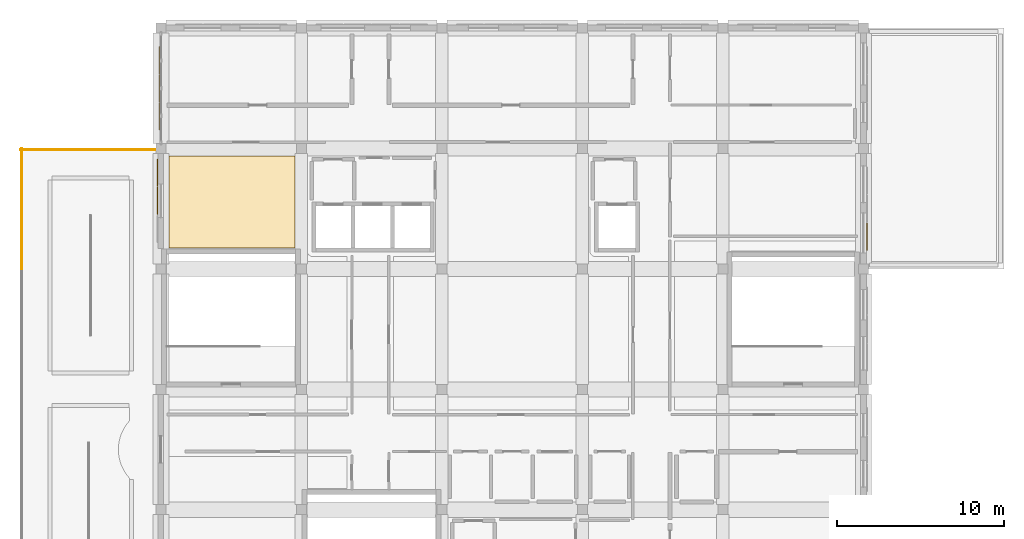
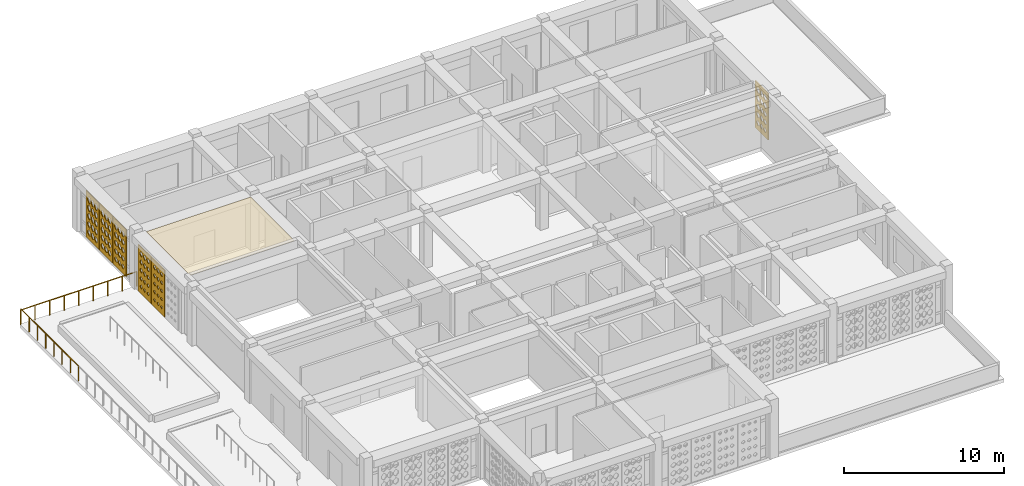
# One storey, part 24 of 28: 7 coverings, 2 railings.
"""IFC4 building model written with IfcOpenShell, lengths in metres."""

from ifc_helpers import new_model, si_unit, derived_unit, direction, frame, origin, origin_2d, place, context, subcontext, project, spatial, polyline, circle, outline, extrude, material, layer, layer_set, type_object, element, save


model = new_model("IFC4")

# Units and contexts
model_context = context("Model", 3, precision=1e-05, world=origin(), true_north=direction((0.0, 1.0)))
body_context = subcontext(model_context, "Body", "Model", "MODEL_VIEW")
ifc_project = project(units=[si_unit("LENGTHUNIT", "METRE"), si_unit("AREAUNIT", "SQUARE_METRE"), si_unit("VOLUMEUNIT", "CUBIC_METRE"), si_unit("PLANEANGLEUNIT", "RADIAN"), si_unit("MASSUNIT", "GRAM", prefix="KILO"), derived_unit("THERMALTRANSMITTANCEUNIT", [(si_unit("POWERUNIT", "WATT"), 1), (si_unit("LENGTHUNIT", "METRE"), -2), (si_unit("THERMODYNAMICTEMPERATUREUNIT", "KELVIN"), -1)])], contexts=[model_context])

# Site, building, storey
site_placement = place(None, origin())
site = spatial("IfcSite", under=ifc_project, at=site_placement, CompositionType="ELEMENT")
building_placement = place(site_placement, origin())
building = spatial("IfcBuilding", under=site, at=building_placement, Name="Veybourne Emporium", CompositionType="ELEMENT")
storey_placement = place(building_placement, frame((0.0, 0.0, 32.10009765625)))
storey = spatial("IfcBuildingStorey", under=building, at=storey_placement, Name="L07", CompositionType="ELEMENT", Elevation=32.10009765625)

# Covering
ifc_material_1 = material(Name="Mineral Acoustic Ceiling", Category="gypsum")
ifc_layer_1 = layer(ifc_material_1, 0.02490234375)
ifc_layer_set_1 = layer_set([ifc_layer_1], Name="Mineral Acoustic Ceiling")
covering_type_1 = type_object("IfcCoveringType", Name="Ceiling_CLG-01", PredefinedType="CEILING", material=ifc_layer_set_1)
covering_1_placement = place(storey_placement, frame((0.0, 0.0, 4.21484375)))
element("IfcCovering", 1, at=covering_1_placement, inside=storey, type_object=covering_type_1, Name="L07 coffered acoustic ceiling 04", PredefinedType="CEILING", context=body_context, shape_type="SweptSolid", body=[
    extrude(outline(polyline([(8.873046875, 37.260009765625), (8.873046875, 42.751953125), (16.427001953125, 42.751953125), (16.427001953125, 37.260009765625), (8.873046875, 37.260009765625)])), origin(), (0.0, 0.0, 1.0), 0.025146484375),
])

# Railings
ifc_material_2 = material(Name="Patinated Architectural Bronze", Category="bronze")
railing_type = type_object("IfcRailingType", Name="Guard_GR-02", PredefinedType="GUARDRAIL", material=ifc_material_2)
railing_1_placement = place(storey_placement, frame((0.0, 43.1201171875, 0.0)))
element("IfcRailing", 2, at=railing_1_placement, inside=storey, type_object=railing_type, Name="L07 terrace perimeter guardrail 005", PredefinedType="GUARDRAIL", context=body_context, shape_type="SweptSolid", body=[
    extrude(circle(Radius=0.02392578125, at=origin_2d()), frame((0.0, 0.0, 1.1259765625), z_axis=(1.0, 0.0, 0.0), x_axis=(0.0, 1.0, 0.0)), (0.0, 0.0, 1.0), 8.39990234375),
    extrude(circle(Radius=0.02099609375, at=origin_2d()), origin(), (0.0, 0.0, 1.0), 1.101806640625),
    extrude(circle(Radius=0.02099609375, at=origin_2d()), frame((1.050048828125, 0.0, 0.0)), (0.0, 0.0, 1.0), 1.101806640625),
    extrude(circle(Radius=0.02099609375, at=origin_2d()), frame((2.10009765625, 0.0, 0.0)), (0.0, 0.0, 1.0), 1.101806640625),
    extrude(circle(Radius=0.02099609375, at=origin_2d()), frame((3.14990234375, 0.0, 0.0)), (0.0, 0.0, 1.0), 1.101806640625),
    extrude(circle(Radius=0.02099609375, at=origin_2d()), frame((4.199951171875, 0.0, 0.0)), (0.0, 0.0, 1.0), 1.101806640625),
    extrude(circle(Radius=0.02099609375, at=origin_2d()), frame((5.25, 0.0, 0.0)), (0.0, 0.0, 1.0), 1.101806640625),
    extrude(circle(Radius=0.02099609375, at=origin_2d()), frame((6.2998046875, 0.0, 0.0)), (0.0, 0.0, 1.0), 1.101806640625),
    extrude(circle(Radius=0.02099609375, at=origin_2d()), frame((7.349853515625, 0.0, 0.0)), (0.0, 0.0, 1.0), 1.101806640625),
    extrude(circle(Radius=0.02099609375, at=origin_2d()), frame((8.39990234375, 0.0, 0.0)), (0.0, 0.0, 1.0), 1.101806640625),
])
railing_2_placement = place(storey_placement, frame((0.080078125, 36.0, 0.0)))
element("IfcRailing", 3, at=railing_2_placement, inside=storey, type_object=railing_type, Name="L07 terrace perimeter guardrail 006", PredefinedType="GUARDRAIL", context=body_context, shape_type="SweptSolid", body=[
    extrude(circle(Radius=0.02392578125, at=origin_2d()), frame((0.0, 0.0, 1.1259765625), z_axis=(0.0, 1.0, 0.0), x_axis=(-1.0, 0.0, 0.0)), (0.0, 0.0, 1.0), 7.199951171875),
    extrude(circle(Radius=0.02099609375, at=origin_2d()), origin(), (0.0, 0.0, 1.0), 1.101806640625),
    extrude(circle(Radius=0.02099609375, at=origin_2d()), frame((0.0, 1.028564453125, 0.0)), (0.0, 0.0, 1.0), 1.101806640625),
    extrude(circle(Radius=0.02099609375, at=origin_2d()), frame((0.0, 2.05712890625, 0.0)), (0.0, 0.0, 1.0), 1.101806640625),
    extrude(circle(Radius=0.02099609375, at=origin_2d()), frame((0.0, 3.085693359375, 0.0)), (0.0, 0.0, 1.0), 1.101806640625),
    extrude(circle(Radius=0.02099609375, at=origin_2d()), frame((0.0, 4.1142578125, 0.0)), (0.0, 0.0, 1.0), 1.101806640625),
    extrude(circle(Radius=0.02099609375, at=origin_2d()), frame((0.0, 5.142822265625, 0.0)), (0.0, 0.0, 1.0), 1.101806640625),
    extrude(circle(Radius=0.02099609375, at=origin_2d()), frame((0.0, 6.17138671875, 0.0)), (0.0, 0.0, 1.0), 1.101806640625),
    extrude(circle(Radius=0.02099609375, at=origin_2d()), frame((0.0, 7.199951171875, 0.0)), (0.0, 0.0, 1.0), 1.101806640625),
])

# Coverings
ifc_material_3 = material(Name="Warm-White Perforated Aluminium Screen Alloy", Category="aluminium")
ifc_layer_2 = layer(ifc_material_3, 0.06005859375)
ifc_layer_set_2 = layer_set([ifc_layer_2], Name="Warm-White Perforated Aluminium Screen Alloy")
covering_type_2 = type_object("IfcCoveringType", Name="WaveScreen_SCR-01", PredefinedType="CLADDING", material=ifc_layer_set_2)
covering_2_placement = place(storey_placement, frame((8.302978515625, 46.800048828125, 1.844970703125), z_axis=(1.0, 0.0, 0.0), x_axis=(0.0, 1.0, 0.0)))
element("IfcCovering", 4, at=covering_2_placement, inside=storey, type_object=covering_type_2, Name="L07 wave-perforated aluminium screen SCR-01 (7C.2)", PredefinedType="CLADDING", context=body_context, shape_type="SweptSolid", body=[
    extrude(outline(polyline([(-0.81982421875, -1.78515625), (0.81982421875, -1.78515625), (0.81982421875, 1.78515625), (-0.81982421875, 1.78515625), (-0.81982421875, -1.78515625)]), holes=[polyline([(-0.433349609375, -1.047119140625), (-0.255615234375, -1.17822265625), (-0.255615234375, -1.32568359375), (-0.433349609375, -1.456787109375), (-0.61083984375, -1.32568359375), (-0.61083984375, -1.17822265625), (-0.433349609375, -1.047119140625)]), polyline([(-0.433349609375, -0.406982421875), (-0.2470703125, -0.547119140625), (-0.2470703125, -0.704833984375), (-0.433349609375, -0.844970703125), (-0.61962890625, -0.704833984375), (-0.61962890625, -0.547119140625), (-0.433349609375, -0.406982421875)]), polyline([(-0.433349609375, 0.232177734375), (-0.2470703125, 0.08349609375), (-0.2470703125, -0.08349609375), (-0.433349609375, -0.232177734375), (-0.61962890625, -0.08349609375), (-0.61962890625, 0.08349609375), (-0.433349609375, 0.232177734375)]), polyline([(-0.433349609375, 0.8701171875), (-0.2470703125, 0.7138671875), (-0.2470703125, 0.5380859375), (-0.433349609375, 0.3818359375), (-0.61962890625, 0.5380859375), (-0.61962890625, 0.7138671875), (-0.433349609375, 0.8701171875)]), polyline([(-0.433349609375, 1.506591796875), (-0.2470703125, 1.343505859375), (-0.2470703125, 1.160400390625), (-0.433349609375, 0.997314453125), (-0.61962890625, 1.160400390625), (-0.61962890625, 1.343505859375), (-0.433349609375, 1.506591796875)]), polyline([(0.0, -1.040771484375), (0.182861328125, -1.176025390625), (0.182861328125, -1.327880859375), (0.0, -1.463134765625), (-0.182861328125, -1.327880859375), (-0.182861328125, -1.176025390625), (0.0, -1.040771484375)]), polyline([(0.0, -0.401123046875), (0.186279296875, -0.544921875), (0.186279296875, -0.70703125), (0.0, -0.850830078125), (-0.186279296875, -0.70703125), (-0.186279296875, -0.544921875), (0.0, -0.401123046875)]), polyline([(0.0, 0.237548828125), (0.186279296875, 0.085693359375), (0.186279296875, -0.085693359375), (0.0, -0.237548828125), (-0.186279296875, -0.085693359375), (-0.186279296875, 0.085693359375), (0.0, 0.237548828125)]), polyline([(0.0, 0.875), (0.186279296875, 0.715576171875), (0.186279296875, 0.536376953125), (0.0, 0.376953125), (-0.186279296875, 0.536376953125), (-0.186279296875, 0.715576171875), (0.0, 0.875)]), polyline([(0.0, 1.510498046875), (0.186279296875, 1.34521484375), (0.186279296875, 1.158935546875), (0.0, 0.993408203125), (-0.186279296875, 1.158935546875), (-0.186279296875, 1.34521484375), (0.0, 1.510498046875)]), polyline([(0.433349609375, -1.03466796875), (0.61962890625, -1.173583984375), (0.61962890625, -1.330322265625), (0.433349609375, -1.469482421875), (0.2470703125, -1.330322265625), (0.2470703125, -1.173583984375), (0.433349609375, -1.03466796875)]), polyline([(0.433349609375, -0.395263671875), (0.61962890625, -0.54296875), (0.61962890625, -0.708984375), (0.433349609375, -0.856689453125), (0.2470703125, -0.708984375), (0.2470703125, -0.54296875), (0.433349609375, -0.395263671875)]), polyline([(0.433349609375, 0.242919921875), (0.61962890625, 0.08740234375), (0.61962890625, -0.08740234375), (0.433349609375, -0.242919921875), (0.2470703125, -0.08740234375), (0.2470703125, 0.08740234375), (0.433349609375, 0.242919921875)]), polyline([(0.433349609375, 0.87939453125), (0.61962890625, 0.71728515625), (0.61962890625, 0.53466796875), (0.433349609375, 0.37255859375), (0.2470703125, 0.53466796875), (0.2470703125, 0.71728515625), (0.433349609375, 0.87939453125)]), polyline([(0.433349609375, 1.514404296875), (0.61962890625, 1.346435546875), (0.61962890625, 1.15771484375), (0.433349609375, 0.98974609375), (0.2470703125, 1.15771484375), (0.2470703125, 1.346435546875), (0.433349609375, 1.514404296875)])]), origin(), (0.0, 0.0, 1.0), 0.06005859375),
])
ifc_layer_3 = layer(ifc_material_3, 0.06005859375)
ifc_layer_set_3 = layer_set([ifc_layer_3], Name="Warm-White Perforated Aluminium Screen Alloy")
covering_type_3 = type_object("IfcCoveringType", Name="WaveScreen_SCR-02", PredefinedType="CLADDING", material=ifc_layer_set_3)
covering_3_placement = place(storey_placement, frame((8.302978515625, 48.47998046875, 1.844970703125), z_axis=(1.0, 0.0, 0.0), x_axis=(0.0, 1.0, 0.0)))
element("IfcCovering", 5, at=covering_3_placement, inside=storey, type_object=covering_type_3, Name="L07 wave-perforated aluminium screen SCR-02 (7C.3)", PredefinedType="CLADDING", context=body_context, shape_type="SweptSolid", body=[
    extrude(outline(polyline([(-0.81982421875, -1.78515625), (0.81982421875, -1.78515625), (0.81982421875, 1.78515625), (-0.81982421875, 1.78515625), (-0.81982421875, -1.78515625)]), holes=[polyline([(-0.433349609375, -1.0234375), (-0.2470703125, -1.169677734375), (-0.2470703125, -1.334228515625), (-0.433349609375, -1.480712890625), (-0.61962890625, -1.334228515625), (-0.61962890625, -1.169677734375), (-0.433349609375, -1.0234375)]), polyline([(-0.433349609375, -0.385009765625), (-0.2470703125, -0.539306640625), (-0.2470703125, -0.712890625), (-0.433349609375, -0.866943359375), (-0.61962890625, -0.712890625), (-0.61962890625, -0.539306640625), (-0.433349609375, -0.385009765625)]), polyline([(-0.433349609375, 0.251953125), (-0.2470703125, 0.0908203125), (-0.2470703125, -0.0908203125), (-0.433349609375, -0.251953125), (-0.61962890625, -0.0908203125), (-0.61962890625, 0.0908203125), (-0.433349609375, 0.251953125)]), polyline([(-0.433349609375, 0.886962890625), (-0.2470703125, 0.719970703125), (-0.2470703125, 0.531982421875), (-0.433349609375, 0.364990234375), (-0.61962890625, 0.531982421875), (-0.61962890625, 0.719970703125), (-0.433349609375, 0.886962890625)]), polyline([(-0.433349609375, 1.52001953125), (-0.2470703125, 1.348388671875), (-0.2470703125, 1.155517578125), (-0.433349609375, 0.984130859375), (-0.61962890625, 1.155517578125), (-0.61962890625, 1.348388671875), (-0.433349609375, 1.52001953125)]), polyline([(0.0, -1.017578125), (0.186279296875, -1.167724609375), (0.186279296875, -1.336181640625), (0.0, -1.486328125), (-0.186279296875, -1.336181640625), (-0.186279296875, -1.167724609375), (0.0, -1.017578125)]), polyline([(0.0, -0.3798828125), (0.186279296875, -0.537353515625), (0.186279296875, -0.714599609375), (0.0, -0.8720703125), (-0.186279296875, -0.714599609375), (-0.186279296875, -0.537353515625), (0.0, -0.3798828125)]), polyline([(0.0, 0.256103515625), (0.186279296875, 0.09228515625), (0.186279296875, -0.09228515625), (0.0, -0.256103515625), (-0.186279296875, -0.09228515625), (-0.186279296875, 0.09228515625), (0.0, 0.256103515625)]), polyline([(0.0, 0.890380859375), (0.186279296875, 0.72119140625), (0.186279296875, 0.53076171875), (0.0, 0.36181640625), (-0.186279296875, 0.53076171875), (-0.186279296875, 0.72119140625), (0.0, 0.890380859375)]), polyline([(0.0, 1.521240234375), (0.186279296875, 1.348876953125), (0.186279296875, 1.155029296875), (0.0, 0.98291015625), (-0.186279296875, 1.155029296875), (-0.186279296875, 1.348876953125), (0.0, 1.521240234375)]), polyline([(0.433349609375, -1.01220703125), (0.61962890625, -1.165771484375), (0.61962890625, -1.33837890625), (0.433349609375, -1.49169921875), (0.2470703125, -1.33837890625), (0.2470703125, -1.165771484375), (0.433349609375, -1.01220703125)]), polyline([(0.433349609375, -0.375244140625), (0.61962890625, -0.53564453125), (0.61962890625, -0.71630859375), (0.433349609375, -0.876708984375), (0.2470703125, -0.71630859375), (0.2470703125, -0.53564453125), (0.433349609375, -0.375244140625)]), polyline([(0.433349609375, 0.260009765625), (0.61962890625, 0.093505859375), (0.61962890625, -0.093505859375), (0.433349609375, -0.260009765625), (0.2470703125, -0.093505859375), (0.2470703125, 0.093505859375), (0.433349609375, 0.260009765625)]), polyline([(0.433349609375, 0.893310546875), (0.61962890625, 0.72216796875), (0.61962890625, 0.52978515625), (0.433349609375, 0.358642578125), (0.2470703125, 0.52978515625), (0.2470703125, 0.72216796875), (0.433349609375, 0.893310546875)]), polyline([(0.433349609375, 1.521240234375), (0.61962890625, 1.348876953125), (0.61962890625, 1.155029296875), (0.433349609375, 0.98291015625), (0.2470703125, 1.155029296875), (0.2470703125, 1.348876953125), (0.433349609375, 1.521240234375)])]), origin(), (0.0, 0.0, 1.0), 0.06005859375),
])
ifc_layer_4 = layer(ifc_material_3, 0.06005859375)
ifc_layer_set_4 = layer_set([ifc_layer_4], Name="Warm-White Perforated Aluminium Screen Alloy")
covering_type_4 = type_object("IfcCoveringType", Name="WaveScreen_SCR-03", PredefinedType="CLADDING", material=ifc_layer_set_4)
covering_4_placement = place(storey_placement, frame((8.177001953125, 40.06005859375, 1.844970703125), z_axis=(1.0, 0.0, 0.0), x_axis=(0.0, 1.0, 0.0)))
element("IfcCovering", 6, at=covering_4_placement, inside=storey, type_object=covering_type_4, Name="L07 wave-perforated aluminium screen SCR-03 (5T.2)", PredefinedType="CLADDING", context=body_context, shape_type="SweptSolid", body=[
    extrude(outline(polyline([(-0.81982421875, -1.78515625), (0.81982421875, -1.78515625), (0.81982421875, 1.78515625), (-0.81982421875, 1.78515625), (-0.81982421875, -1.78515625)]), holes=[polyline([(-0.433349609375, -1.132568359375), (-0.325439453125, -1.208984375), (-0.325439453125, -1.294921875), (-0.433349609375, -1.37158203125), (-0.541015625, -1.294921875), (-0.541015625, -1.208984375), (-0.433349609375, -1.132568359375)]), polyline([(-0.433349609375, -0.49853515625), (-0.319091796875, -0.580078125), (-0.319091796875, -0.671875), (-0.433349609375, -0.75341796875), (-0.547607421875, -0.671875), (-0.547607421875, -0.580078125), (-0.433349609375, -0.49853515625)]), polyline([(-0.433349609375, 0.13720703125), (-0.31103515625, 0.04931640625), (-0.31103515625, -0.04931640625), (-0.433349609375, -0.13720703125), (-0.5556640625, -0.04931640625), (-0.5556640625, 0.04931640625), (-0.433349609375, 0.13720703125)]), polyline([(-0.433349609375, 0.774658203125), (-0.3017578125, 0.679443359375), (-0.3017578125, 0.572509765625), (-0.433349609375, 0.477294921875), (-0.56494140625, 0.572509765625), (-0.56494140625, 0.679443359375), (-0.433349609375, 0.774658203125)]), polyline([(-0.433349609375, 1.41357421875), (-0.291015625, 1.310302734375), (-0.291015625, 1.19384765625), (-0.433349609375, 1.09033203125), (-0.575439453125, 1.19384765625), (-0.575439453125, 1.310302734375), (-0.433349609375, 1.41357421875)]), polyline([(0.0, -1.12939453125), (0.1103515625, -1.207763671875), (0.1103515625, -1.296142578125), (0.0, -1.374755859375), (-0.1103515625, -1.296142578125), (-0.1103515625, -1.207763671875), (0.0, -1.12939453125)]), polyline([(0.0, -0.494384765625), (0.11767578125, -0.57861328125), (0.11767578125, -0.67333984375), (0.0, -0.757568359375), (-0.11767578125, -0.67333984375), (-0.11767578125, -0.57861328125), (0.0, -0.494384765625)]), polyline([(0.0, 0.14208984375), (0.126220703125, 0.05126953125), (0.126220703125, -0.05126953125), (0.0, -0.14208984375), (-0.126220703125, -0.05126953125), (-0.126220703125, 0.05126953125), (0.0, 0.14208984375)]), polyline([(0.0, 0.7802734375), (0.13623046875, 0.681396484375), (0.13623046875, 0.570556640625), (0.0, 0.4716796875), (-0.13623046875, 0.570556640625), (-0.13623046875, 0.681396484375), (0.0, 0.7802734375)]), polyline([(0.0, 1.419677734375), (0.147216796875, 1.312255859375), (0.147216796875, 1.191650390625), (0.0, 1.08447265625), (-0.147216796875, 1.191650390625), (-0.147216796875, 1.312255859375), (0.0, 1.419677734375)]), polyline([(0.433349609375, -1.12548828125), (0.546630859375, -1.20654296875), (0.546630859375, -1.297607421875), (0.433349609375, -1.37841796875), (0.31982421875, -1.297607421875), (0.31982421875, -1.20654296875), (0.433349609375, -1.12548828125)]), polyline([(0.433349609375, -0.489990234375), (0.5546875, -0.576904296875), (0.5546875, -0.675048828125), (0.433349609375, -0.761962890625), (0.31201171875, -0.675048828125), (0.31201171875, -0.576904296875), (0.433349609375, -0.489990234375)]), polyline([(0.433349609375, 0.1474609375), (0.56396484375, 0.052978515625), (0.56396484375, -0.052978515625), (0.433349609375, -0.1474609375), (0.302734375, -0.052978515625), (0.302734375, 0.052978515625), (0.433349609375, 0.1474609375)]), polyline([(0.433349609375, 0.7861328125), (0.57421875, 0.68359375), (0.57421875, 0.568359375), (0.433349609375, 0.4658203125), (0.292236328125, 0.568359375), (0.292236328125, 0.68359375), (0.433349609375, 0.7861328125)]), polyline([(0.433349609375, 1.42578125), (0.585693359375, 1.314697265625), (0.585693359375, 1.189453125), (0.433349609375, 1.078125), (0.281005859375, 1.189453125), (0.281005859375, 1.314697265625), (0.433349609375, 1.42578125)])]), origin(), (0.0, 0.0, 1.0), 0.06005859375),
])
covering_5_placement = place(storey_placement, frame((50.64794921875, 37.919921875, 1.844970703125), z_axis=(-1.0, 0.0, 0.0), x_axis=(0.0, -1.0, 0.0)))
element("IfcCovering", 7, at=covering_5_placement, inside=storey, type_object=covering_type_4, Name="L07 wave-perforated aluminium screen SCR-03 (20.3)", PredefinedType="CLADDING", context=body_context, shape_type="SweptSolid", body=[
    extrude(outline(polyline([(-0.81982421875, -1.78515625), (0.81982421875, -1.78515625), (0.81982421875, 1.78515625), (-0.81982421875, 1.78515625), (-0.81982421875, -1.78515625)]), holes=[polyline([(-0.433349609375, -1.056396484375), (-0.263427734375, -1.181640625), (-0.263427734375, -1.322509765625), (-0.433349609375, -1.447509765625), (-0.603271484375, -1.322509765625), (-0.603271484375, -1.181640625), (-0.433349609375, -1.056396484375)]), polyline([(-0.433349609375, -0.416259765625), (-0.251708984375, -0.550537109375), (-0.251708984375, -0.701416015625), (-0.433349609375, -0.835693359375), (-0.614990234375, -0.701416015625), (-0.614990234375, -0.550537109375), (-0.433349609375, -0.416259765625)]), polyline([(-0.433349609375, 0.2236328125), (-0.2470703125, 0.08056640625), (-0.2470703125, -0.08056640625), (-0.433349609375, -0.2236328125), (-0.61962890625, -0.08056640625), (-0.61962890625, 0.08056640625), (-0.433349609375, 0.2236328125)]), polyline([(-0.433349609375, 0.862548828125), (-0.2470703125, 0.711181640625), (-0.2470703125, 0.541015625), (-0.433349609375, 0.389404296875), (-0.61962890625, 0.541015625), (-0.61962890625, 0.711181640625), (-0.433349609375, 0.862548828125)]), polyline([(-0.433349609375, 1.5), (-0.2470703125, 1.34130859375), (-0.2470703125, 1.16259765625), (-0.433349609375, 1.00390625), (-0.61962890625, 1.16259765625), (-0.61962890625, 1.34130859375), (-0.433349609375, 1.5)]), polyline([(0.0, -1.06298828125), (0.164794921875, -1.183837890625), (0.164794921875, -1.320068359375), (0.0, -1.44091796875), (-0.164794921875, -1.320068359375), (-0.164794921875, -1.183837890625), (0.0, -1.06298828125)]), polyline([(0.0, -0.422607421875), (0.176513671875, -0.552734375), (0.176513671875, -0.69921875), (0.0, -0.82958984375), (-0.176513671875, -0.69921875), (-0.176513671875, -0.552734375), (0.0, -0.422607421875)]), polyline([(0.0, 0.217529296875), (0.186279296875, 0.078369140625), (0.186279296875, -0.078369140625), (0.0, -0.217529296875), (-0.186279296875, -0.078369140625), (-0.186279296875, 0.078369140625), (0.0, 0.217529296875)]), polyline([(0.0, 0.85693359375), (0.186279296875, 0.708984375), (0.186279296875, 0.54296875), (0.0, 0.39501953125), (-0.186279296875, 0.54296875), (-0.186279296875, 0.708984375), (0.0, 0.85693359375)]), polyline([(0.0, 1.4951171875), (0.186279296875, 1.339599609375), (0.186279296875, 1.16455078125), (0.0, 1.009033203125), (-0.186279296875, 1.16455078125), (-0.186279296875, 1.339599609375), (0.0, 1.4951171875)]), polyline([(0.433349609375, -1.0693359375), (0.5927734375, -1.186279296875), (0.5927734375, -1.317626953125), (0.433349609375, -1.4345703125), (0.27392578125, -1.317626953125), (0.27392578125, -1.186279296875), (0.433349609375, -1.0693359375)]), polyline([(0.433349609375, -0.428955078125), (0.6044921875, -0.55517578125), (0.6044921875, -0.697021484375), (0.433349609375, -0.822998046875), (0.26220703125, -0.697021484375), (0.26220703125, -0.55517578125), (0.433349609375, -0.428955078125)]), polyline([(0.433349609375, 0.21142578125), (0.6162109375, 0.076171875), (0.6162109375, -0.076171875), (0.433349609375, -0.21142578125), (0.25048828125, -0.076171875), (0.25048828125, 0.076171875), (0.433349609375, 0.21142578125)]), polyline([(0.433349609375, 0.85107421875), (0.61962890625, 0.70703125), (0.61962890625, 0.544921875), (0.433349609375, 0.40087890625), (0.2470703125, 0.544921875), (0.2470703125, 0.70703125), (0.433349609375, 0.85107421875)]), polyline([(0.433349609375, 1.48974609375), (0.61962890625, 1.337646484375), (0.61962890625, 1.16650390625), (0.433349609375, 1.01416015625), (0.2470703125, 1.16650390625), (0.2470703125, 1.337646484375), (0.433349609375, 1.48974609375)])]), origin(), (0.0, 0.0, 1.0), 0.06005859375),
])
ifc_layer_5 = layer(ifc_material_3, 0.06005859375)
ifc_layer_set_5 = layer_set([ifc_layer_5], Name="Warm-White Perforated Aluminium Screen Alloy")
covering_type_5 = type_object("IfcCoveringType", Name="WaveScreen_SCR-04", PredefinedType="CLADDING", material=ifc_layer_set_5)
covering_6_placement = place(storey_placement, frame((8.177001953125, 41.739990234375, 1.844970703125), z_axis=(1.0, 0.0, 0.0), x_axis=(0.0, 1.0, 0.0)))
element("IfcCovering", 8, at=covering_6_placement, inside=storey, type_object=covering_type_5, Name="L07 wave-perforated aluminium screen SCR-04 (5T.3)", PredefinedType="CLADDING", context=body_context, shape_type="SweptSolid", body=[
    extrude(outline(polyline([(-0.81982421875, -1.78515625), (0.81982421875, -1.78515625), (0.81982421875, 1.78515625), (-0.81982421875, 1.78515625), (-0.81982421875, -1.78515625)]), holes=[polyline([(-0.433349609375, -1.11767578125), (-0.3134765625, -1.20361328125), (-0.3134765625, -1.30029296875), (-0.433349609375, -1.38623046875), (-0.55322265625, -1.30029296875), (-0.55322265625, -1.20361328125), (-0.433349609375, -1.11767578125)]), polyline([(-0.433349609375, -0.480712890625), (-0.304443359375, -0.57373046875), (-0.304443359375, -0.67822265625), (-0.433349609375, -0.771484375), (-0.562255859375, -0.67822265625), (-0.562255859375, -0.57373046875), (-0.433349609375, -0.480712890625)]), polyline([(-0.433349609375, 0.157958984375), (-0.294189453125, 0.056884765625), (-0.294189453125, -0.056884765625), (-0.433349609375, -0.157958984375), (-0.572509765625, -0.056884765625), (-0.572509765625, 0.056884765625), (-0.433349609375, 0.157958984375)]), polyline([(-0.433349609375, 0.797607421875), (-0.282958984375, 0.687744140625), (-0.282958984375, 0.564208984375), (-0.433349609375, 0.45458984375), (-0.583740234375, 0.564208984375), (-0.583740234375, 0.687744140625), (-0.433349609375, 0.797607421875)]), polyline([(-0.433349609375, 1.437744140625), (-0.271484375, 1.31884765625), (-0.271484375, 1.18505859375), (-0.433349609375, 1.06640625), (-0.59521484375, 1.18505859375), (-0.59521484375, 1.31884765625), (-0.433349609375, 1.437744140625)]), polyline([(0.0, -1.113037109375), (0.123779296875, -1.201904296875), (0.123779296875, -1.302001953125), (0.0, -1.39111328125), (-0.123779296875, -1.302001953125), (-0.123779296875, -1.201904296875), (0.0, -1.113037109375)]), polyline([(0.0, -0.47509765625), (0.13330078125, -0.57177734375), (0.13330078125, -0.680419921875), (0.0, -0.77685546875), (-0.13330078125, -0.680419921875), (-0.13330078125, -0.57177734375), (0.0, -0.47509765625)]), polyline([(0.0, 0.163818359375), (0.14404296875, 0.05908203125), (0.14404296875, -0.05908203125), (0.0, -0.163818359375), (-0.14404296875, -0.05908203125), (-0.14404296875, 0.05908203125), (0.0, 0.163818359375)]), polyline([(0.0, 0.8037109375), (0.155517578125, 0.68994140625), (0.155517578125, 0.56201171875), (0.0, 0.4482421875), (-0.155517578125, 0.56201171875), (-0.155517578125, 0.68994140625), (0.0, 0.8037109375)]), polyline([(0.0, 1.444091796875), (0.167236328125, 1.3212890625), (0.167236328125, 1.182861328125), (0.0, 1.059814453125), (-0.167236328125, 1.182861328125), (-0.167236328125, 1.3212890625), (0.0, 1.444091796875)]), polyline([(0.433349609375, -1.10791015625), (0.561279296875, -1.2001953125), (0.561279296875, -1.303955078125), (0.433349609375, -1.39599609375), (0.305419921875, -1.303955078125), (0.305419921875, -1.2001953125), (0.433349609375, -1.10791015625)]), polyline([(0.433349609375, -0.469482421875), (0.5712890625, -0.569580078125), (0.5712890625, -0.682373046875), (0.433349609375, -0.782470703125), (0.29541015625, -0.682373046875), (0.29541015625, -0.569580078125), (0.433349609375, -0.469482421875)]), polyline([(0.433349609375, 0.169921875), (0.58251953125, 0.061279296875), (0.58251953125, -0.061279296875), (0.433349609375, -0.169921875), (0.2841796875, -0.061279296875), (0.2841796875, 0.061279296875), (0.433349609375, 0.169921875)]), polyline([(0.433349609375, 0.810302734375), (0.593994140625, 0.6923828125), (0.593994140625, 0.559814453125), (0.433349609375, 0.44189453125), (0.272705078125, 0.559814453125), (0.272705078125, 0.6923828125), (0.433349609375, 0.810302734375)]), polyline([(0.433349609375, 1.45068359375), (0.605712890625, 1.323486328125), (0.605712890625, 1.180419921875), (0.433349609375, 1.053466796875), (0.2607421875, 1.180419921875), (0.2607421875, 1.323486328125), (0.433349609375, 1.45068359375)])]), origin(), (0.0, 0.0, 1.0), 0.06005859375),
])
covering_7_placement = place(storey_placement, frame((8.302978515625, 45.1201171875, 1.844970703125), z_axis=(1.0, 0.0, 0.0), x_axis=(0.0, 1.0, 0.0)))
element("IfcCovering", 9, at=covering_7_placement, inside=storey, type_object=covering_type_5, Name="L07 wave-perforated aluminium screen SCR-04 (7C.1)", PredefinedType="CLADDING", context=body_context, shape_type="SweptSolid", body=[
    extrude(outline(polyline([(-0.81982421875, -1.78515625), (0.81982421875, -1.78515625), (0.81982421875, 1.78515625), (-0.81982421875, 1.78515625), (-0.81982421875, -1.78515625)]), holes=[polyline([(-0.433349609375, -1.072021484375), (-0.276123046875, -1.187255859375), (-0.276123046875, -1.31689453125), (-0.433349609375, -1.431884765625), (-0.590576171875, -1.31689453125), (-0.590576171875, -1.187255859375), (-0.433349609375, -1.072021484375)]), polyline([(-0.433349609375, -0.431640625), (-0.264404296875, -0.555908203125), (-0.264404296875, -0.696044921875), (-0.433349609375, -0.8203125), (-0.602294921875, -0.696044921875), (-0.602294921875, -0.555908203125), (-0.433349609375, -0.431640625)]), polyline([(-0.433349609375, 0.208740234375), (-0.25244140625, 0.0751953125), (-0.25244140625, -0.0751953125), (-0.433349609375, -0.208740234375), (-0.614013671875, -0.0751953125), (-0.614013671875, 0.0751953125), (-0.433349609375, 0.208740234375)]), polyline([(-0.433349609375, 0.8486328125), (-0.2470703125, 0.7060546875), (-0.2470703125, 0.5458984375), (-0.433349609375, 0.4033203125), (-0.61962890625, 0.5458984375), (-0.61962890625, 0.7060546875), (-0.433349609375, 0.8486328125)]), polyline([(-0.433349609375, 1.487548828125), (-0.2470703125, 1.3369140625), (-0.2470703125, 1.167236328125), (-0.433349609375, 1.016357421875), (-0.61962890625, 1.167236328125), (-0.61962890625, 1.3369140625), (-0.433349609375, 1.487548828125)]), polyline([(0.0, -1.065673828125), (0.16259765625, -1.184814453125), (0.16259765625, -1.319091796875), (0.0, -1.4384765625), (-0.16259765625, -1.319091796875), (-0.16259765625, -1.184814453125), (0.0, -1.065673828125)]), polyline([(0.0, -0.42529296875), (0.17431640625, -0.5537109375), (0.17431640625, -0.6982421875), (0.0, -0.826904296875), (-0.17431640625, -0.6982421875), (-0.17431640625, -0.5537109375), (0.0, -0.42529296875)]), polyline([(0.0, 0.215087890625), (0.185791015625, 0.077392578125), (0.185791015625, -0.077392578125), (0.0, -0.215087890625), (-0.185791015625, -0.077392578125), (-0.185791015625, 0.077392578125), (0.0, 0.215087890625)]), polyline([(0.0, 0.8544921875), (0.186279296875, 0.708251953125), (0.186279296875, 0.543701171875), (0.0, 0.3974609375), (-0.186279296875, 0.543701171875), (-0.186279296875, 0.708251953125), (0.0, 0.8544921875)]), polyline([(0.0, 1.492919921875), (0.186279296875, 1.338623046875), (0.186279296875, 1.165283203125), (0.0, 1.010986328125), (-0.186279296875, 1.165283203125), (-0.186279296875, 1.338623046875), (0.0, 1.492919921875)]), polyline([(0.433349609375, -1.05908203125), (0.60107421875, -1.1826171875), (0.60107421875, -1.3212890625), (0.433349609375, -1.44482421875), (0.265625, -1.3212890625), (0.265625, -1.1826171875), (0.433349609375, -1.05908203125)]), polyline([(0.433349609375, -0.418701171875), (0.61279296875, -0.551513671875), (0.61279296875, -0.70068359375), (0.433349609375, -0.833251953125), (0.25390625, -0.70068359375), (0.25390625, -0.551513671875), (0.433349609375, -0.418701171875)]), polyline([(0.433349609375, 0.22119140625), (0.61962890625, 0.07958984375), (0.61962890625, -0.07958984375), (0.433349609375, -0.22119140625), (0.2470703125, -0.07958984375), (0.2470703125, 0.07958984375), (0.433349609375, 0.22119140625)]), polyline([(0.433349609375, 0.860107421875), (0.61962890625, 0.710205078125), (0.61962890625, 0.541748046875), (0.433349609375, 0.391845703125), (0.2470703125, 0.541748046875), (0.2470703125, 0.710205078125), (0.433349609375, 0.860107421875)]), polyline([(0.433349609375, 1.498046875), (0.61962890625, 1.340576171875), (0.61962890625, 1.16357421875), (0.433349609375, 1.006103515625), (0.2470703125, 1.16357421875), (0.2470703125, 1.340576171875), (0.433349609375, 1.498046875)])]), origin(), (0.0, 0.0, 1.0), 0.06005859375),
])

save(model, "model.ifc")
